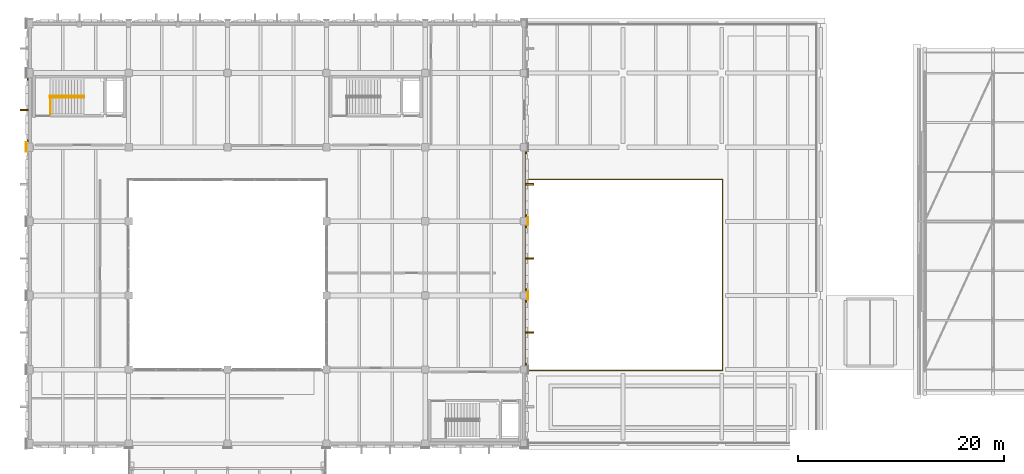
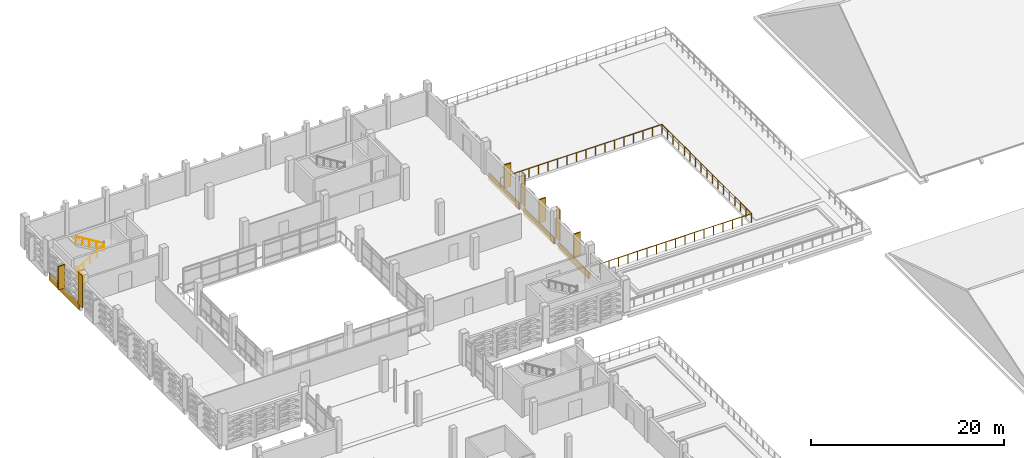
# One storey, part 128 of 134: 11 coverings, 4 railings.
"""IFC4 building model written with IfcOpenShell, lengths in metres."""

from ifc_helpers import new_model, si_unit, direction, frame, origin, origin_2d, place, context, subcontext, project, spatial, rectangle, circle, extrude, material, layer, layer_set, type_object, element, save


model = new_model("IFC4")

# Units and contexts
model_context = context("Model", 3, precision=1e-05, world=origin(), true_north=direction((0.0, 1.0)))
body_context = subcontext(model_context, "Body", "Model", "MODEL_VIEW")
ifc_project = project(units=[si_unit("LENGTHUNIT", "METRE"), si_unit("AREAUNIT", "SQUARE_METRE"), si_unit("VOLUMEUNIT", "CUBIC_METRE"), si_unit("PLANEANGLEUNIT", "RADIAN"), si_unit("MASSUNIT", "GRAM", prefix="KILO")], contexts=[model_context])

# Site, building, storey
site_placement = place(None, origin())
site = spatial("IfcSite", under=ifc_project, at=site_placement, CompositionType="ELEMENT")
building_placement = place(site_placement, origin())
building = spatial("IfcBuilding", under=site, at=building_placement, Name="Asteropetra Specialist Clinic", CompositionType="ELEMENT")
storey_placement = place(building_placement, frame((0.0, 0.0, 8.5)))
storey = spatial("IfcBuildingStorey", under=building, at=storey_placement, Name="L02", CompositionType="ELEMENT", Elevation=8.5)

# Railing
ifc_material_1 = material(Name="Pentelic marble and bronze balustrade", Category="masonry")
railing_type_1 = type_object("IfcRailingType", Name="BAL-STONE-1150", PredefinedType="BALUSTRADE", material=ifc_material_1)
railing_1_placement = place(storey_placement, frame((48.0, 76.719970703125, 0.0)))
element("IfcRailing", 1, at=railing_1_placement, inside=storey, type_object=railing_type_1, Name="Perimeter Guard BAL-V4-L02CT", PredefinedType="BALUSTRADE", context=body_context, shape_type="SweptSolid", body=[
    extrude(circle(Radius=0.02392578125, at=origin_2d()), frame((0.0, 0.0, 1.1259765625), z_axis=(1.0, 0.0, 0.0), x_axis=(0.0, 1.0, 0.0)), (0.0, 0.0, 1.0), 19.280029296875),
    extrude(circle(Radius=0.02392578125, at=origin_2d()), frame((19.280029296875, 0.0, 1.1259765625), z_axis=(0.0, 1.0, 0.0), x_axis=(-1.0, 0.0, 0.0)), (0.0, 0.0, 1.0), 18.56005859375),
    extrude(circle(Radius=0.02392578125, at=origin_2d()), frame((19.280029296875, 18.56005859375, 1.1259765625), z_axis=(-1.0, 0.0, 0.0), x_axis=(0.0, -1.0, 0.0)), (0.0, 0.0, 1.0), 19.280029296875),
    extrude(circle(Radius=0.02099609375, at=origin_2d()), origin(), (0.0, 0.0, 1.0), 1.101806640625),
    extrude(circle(Radius=0.02099609375, at=origin_2d()), frame((1.134033203125, 0.0, 0.0)), (0.0, 0.0, 1.0), 1.101806640625),
    extrude(circle(Radius=0.02099609375, at=origin_2d()), frame((2.268310546875, 0.0, 0.0)), (0.0, 0.0, 1.0), 1.101806640625),
    extrude(circle(Radius=0.02099609375, at=origin_2d()), frame((3.40234375, 0.0, 0.0)), (0.0, 0.0, 1.0), 1.101806640625),
    extrude(circle(Radius=0.02099609375, at=origin_2d()), frame((4.536376953125, 0.0, 0.0)), (0.0, 0.0, 1.0), 1.101806640625),
    extrude(circle(Radius=0.02099609375, at=origin_2d()), frame((5.670654296875, 0.0, 0.0)), (0.0, 0.0, 1.0), 1.101806640625),
    extrude(circle(Radius=0.02099609375, at=origin_2d()), frame((6.8046875, 0.0, 0.0)), (0.0, 0.0, 1.0), 1.101806640625),
    extrude(circle(Radius=0.02099609375, at=origin_2d()), frame((7.938720703125, 0.0, 0.0)), (0.0, 0.0, 1.0), 1.101806640625),
    extrude(circle(Radius=0.02099609375, at=origin_2d()), frame((9.072998046875, 0.0, 0.0)), (0.0, 0.0, 1.0), 1.101806640625),
    extrude(circle(Radius=0.02099609375, at=origin_2d()), frame((10.20703125, 0.0, 0.0)), (0.0, 0.0, 1.0), 1.101806640625),
    extrude(circle(Radius=0.02099609375, at=origin_2d()), frame((11.34130859375, 0.0, 0.0)), (0.0, 0.0, 1.0), 1.101806640625),
    extrude(circle(Radius=0.02099609375, at=origin_2d()), frame((12.475341796875, 0.0, 0.0)), (0.0, 0.0, 1.0), 1.101806640625),
    extrude(circle(Radius=0.02099609375, at=origin_2d()), frame((13.609375, 0.0, 0.0)), (0.0, 0.0, 1.0), 1.101806640625),
    extrude(circle(Radius=0.02099609375, at=origin_2d()), frame((14.74365234375, 0.0, 0.0)), (0.0, 0.0, 1.0), 1.101806640625),
    extrude(circle(Radius=0.02099609375, at=origin_2d()), frame((15.877685546875, 0.0, 0.0)), (0.0, 0.0, 1.0), 1.101806640625),
    extrude(circle(Radius=0.02099609375, at=origin_2d()), frame((17.01171875, 0.0, 0.0)), (0.0, 0.0, 1.0), 1.101806640625),
    extrude(circle(Radius=0.02099609375, at=origin_2d()), frame((18.14599609375, 0.0, 0.0)), (0.0, 0.0, 1.0), 1.101806640625),
    extrude(circle(Radius=0.02099609375, at=origin_2d()), frame((19.280029296875, 0.0, 0.0)), (0.0, 0.0, 1.0), 1.101806640625),
    extrude(circle(Radius=0.02099609375, at=origin_2d()), frame((19.280029296875, 1.159912109375, 0.0)), (0.0, 0.0, 1.0), 1.101806640625),
    extrude(circle(Radius=0.02099609375, at=origin_2d()), frame((19.280029296875, 2.320068359375, 0.0)), (0.0, 0.0, 1.0), 1.101806640625),
    extrude(circle(Radius=0.02099609375, at=origin_2d()), frame((19.280029296875, 3.47998046875, 0.0)), (0.0, 0.0, 1.0), 1.101806640625),
    extrude(circle(Radius=0.02099609375, at=origin_2d()), frame((19.280029296875, 4.64013671875, 0.0)), (0.0, 0.0, 1.0), 1.101806640625),
    extrude(circle(Radius=0.02099609375, at=origin_2d()), frame((19.280029296875, 5.800048828125, 0.0)), (0.0, 0.0, 1.0), 1.101806640625),
    extrude(circle(Radius=0.02099609375, at=origin_2d()), frame((19.280029296875, 6.9599609375, 0.0)), (0.0, 0.0, 1.0), 1.101806640625),
    extrude(circle(Radius=0.02099609375, at=origin_2d()), frame((19.280029296875, 8.1201171875, 0.0)), (0.0, 0.0, 1.0), 1.101806640625),
    extrude(circle(Radius=0.02099609375, at=origin_2d()), frame((19.280029296875, 9.280029296875, 0.0)), (0.0, 0.0, 1.0), 1.101806640625),
    extrude(circle(Radius=0.02099609375, at=origin_2d()), frame((19.280029296875, 10.43994140625, 0.0)), (0.0, 0.0, 1.0), 1.101806640625),
    extrude(circle(Radius=0.02099609375, at=origin_2d()), frame((19.280029296875, 11.60009765625, 0.0)), (0.0, 0.0, 1.0), 1.101806640625),
    extrude(circle(Radius=0.02099609375, at=origin_2d()), frame((19.280029296875, 12.760009765625, 0.0)), (0.0, 0.0, 1.0), 1.101806640625),
    extrude(circle(Radius=0.02099609375, at=origin_2d()), frame((19.280029296875, 13.919921875, 0.0)), (0.0, 0.0, 1.0), 1.101806640625),
    extrude(circle(Radius=0.02099609375, at=origin_2d()), frame((19.280029296875, 15.080078125, 0.0)), (0.0, 0.0, 1.0), 1.101806640625),
    extrude(circle(Radius=0.02099609375, at=origin_2d()), frame((19.280029296875, 16.239990234375, 0.0)), (0.0, 0.0, 1.0), 1.101806640625),
    extrude(circle(Radius=0.02099609375, at=origin_2d()), frame((19.280029296875, 17.400146484375, 0.0)), (0.0, 0.0, 1.0), 1.101806640625),
    extrude(circle(Radius=0.02099609375, at=origin_2d()), frame((19.280029296875, 18.56005859375, 0.0)), (0.0, 0.0, 1.0), 1.101806640625),
    extrude(circle(Radius=0.02099609375, at=origin_2d()), frame((18.14599609375, 18.56005859375, 0.0)), (0.0, 0.0, 1.0), 1.101806640625),
    extrude(circle(Radius=0.02099609375, at=origin_2d()), frame((17.01171875, 18.56005859375, 0.0)), (0.0, 0.0, 1.0), 1.101806640625),
    extrude(circle(Radius=0.02099609375, at=origin_2d()), frame((15.877685546875, 18.56005859375, 0.0)), (0.0, 0.0, 1.0), 1.101806640625),
    extrude(circle(Radius=0.02099609375, at=origin_2d()), frame((14.74365234375, 18.56005859375, 0.0)), (0.0, 0.0, 1.0), 1.101806640625),
    extrude(circle(Radius=0.02099609375, at=origin_2d()), frame((13.609375, 18.56005859375, 0.0)), (0.0, 0.0, 1.0), 1.101806640625),
    extrude(circle(Radius=0.02099609375, at=origin_2d()), frame((12.475341796875, 18.56005859375, 0.0)), (0.0, 0.0, 1.0), 1.101806640625),
    extrude(circle(Radius=0.02099609375, at=origin_2d()), frame((11.34130859375, 18.56005859375, 0.0)), (0.0, 0.0, 1.0), 1.101806640625),
    extrude(circle(Radius=0.02099609375, at=origin_2d()), frame((10.20703125, 18.56005859375, 0.0)), (0.0, 0.0, 1.0), 1.101806640625),
    extrude(circle(Radius=0.02099609375, at=origin_2d()), frame((9.072998046875, 18.56005859375, 0.0)), (0.0, 0.0, 1.0), 1.101806640625),
    extrude(circle(Radius=0.02099609375, at=origin_2d()), frame((7.938720703125, 18.56005859375, 0.0)), (0.0, 0.0, 1.0), 1.101806640625),
    extrude(circle(Radius=0.02099609375, at=origin_2d()), frame((6.8046875, 18.56005859375, 0.0)), (0.0, 0.0, 1.0), 1.101806640625),
    extrude(circle(Radius=0.02099609375, at=origin_2d()), frame((5.670654296875, 18.56005859375, 0.0)), (0.0, 0.0, 1.0), 1.101806640625),
    extrude(circle(Radius=0.02099609375, at=origin_2d()), frame((4.536376953125, 18.56005859375, 0.0)), (0.0, 0.0, 1.0), 1.101806640625),
    extrude(circle(Radius=0.02099609375, at=origin_2d()), frame((3.40234375, 18.56005859375, 0.0)), (0.0, 0.0, 1.0), 1.101806640625),
    extrude(circle(Radius=0.02099609375, at=origin_2d()), frame((2.268310546875, 18.56005859375, 0.0)), (0.0, 0.0, 1.0), 1.101806640625),
    extrude(circle(Radius=0.02099609375, at=origin_2d()), frame((1.134033203125, 18.56005859375, 0.0)), (0.0, 0.0, 1.0), 1.101806640625),
    extrude(circle(Radius=0.02099609375, at=origin_2d()), frame((0.0, 18.56005859375, 0.0)), (0.0, 0.0, 1.0), 1.101806640625),
])

# Coverings
ifc_material_2 = material(Name="Chevron terracotta mid", Category="masonry")
ifc_layer_1 = layer(ifc_material_2, 0.1201171875)
ifc_layer_set_1 = layer_set([ifc_layer_1], Name="Chevron terracotta mid")
covering_type_1 = type_object("IfcCoveringType", Name="CLD-TER-MID", PredefinedType="CLADDING", material=ifc_layer_set_1)
for number, where, z_axis, x_axis, name in (
    (2, (48.18994140625, 80.39990234375, -0.800048828125), (0.0, 0.0, 1.0), (1.0, 0.0, 0.0), "Chevron Spandrel Band CV-1435"),
    (3, (48.18994140625, 87.60009765625, -0.800048828125), (0.0, 0.0, 1.0), (1.0, 0.0, 0.0), "Chevron Spandrel Band CV-1437"),
    (4, (48.18994140625, 94.800048828125, -0.800048828125), (0.0, 0.0, 1.0), (1.0, 0.0, 0.0), "Chevron Spandrel Band CV-1439"),
):
    element("IfcCovering", number, at=place(storey_placement, frame(where, z_axis=z_axis, x_axis=x_axis)), inside=storey, type_object=covering_type_1, Name=name, PredefinedType="CLADDING", context=body_context, shape_type="SweptSolid", body=[
        extrude(rectangle(XDim=0.1201171875, YDim=6.300048828125, at=origin_2d()), origin(), (0.0, 0.0, 1.0), 0.8798828125),
    ])
covering_1_placement = place(storey_placement, frame((-0.18994140625, 102.0, -0.800048828125), z_axis=(0.0, 0.0, 1.0), x_axis=(1.0, 0.0, 0.0)))
element("IfcCovering", 5, at=covering_1_placement, inside=storey, type_object=covering_type_1, Name="Chevron Spandrel Band CV-1440", PredefinedType="CLADDING", context=body_context, shape_type="SweptSolid", body=[
    extrude(rectangle(XDim=0.1201171875, YDim=6.14990234375, at=origin_2d()), origin(), (0.0, 0.0, 1.0), 0.8798828125),
])
ifc_material_3 = material(Name="Pentelic marble ashlar", Category="masonry")
ifc_layer_2 = layer(ifc_material_3, 0.159912109375)
ifc_layer_set_2 = layer_set([ifc_layer_2], Name="Pentelic marble ashlar")
covering_type_2 = type_object("IfcCoveringType", Name="CRN-ENTAB-600", PredefinedType="MOLDING", material=ifc_layer_set_2)
covering_2_placement = place(storey_placement, frame((-0.33203125, 98.39990234375, 0.02001953125), z_axis=(0.0, 0.0, 1.0), x_axis=(1.0, 0.0, 0.0)))
element("IfcCovering", 6, at=covering_2_placement, inside=storey, type_object=covering_type_2, Name="Neoclassical Pilaster Facing CM-0654", PredefinedType="MOLDING", context=body_context, shape_type="SweptSolid", body=[
    extrude(rectangle(XDim=0.080078125, YDim=0.929931640625, at=origin_2d()), origin(), (0.0, 0.0, 1.0), 4.0400390625),
])
for number, where, z_axis, x_axis, name in (
    (7, (48.382080078125, 84.0, 0.02001953125), (0.0, 0.0, 1.0), (1.0, 0.0, 0.0), "Neoclassical Pilaster Facing CM-0669"),
    (8, (48.382080078125, 91.199951171875, 0.02001953125), (0.0, 0.0, 1.0), (1.0, 0.0, 0.0), "Neoclassical Pilaster Facing CM-0670"),
):
    element("IfcCovering", number, at=place(storey_placement, frame(where, z_axis=z_axis, x_axis=x_axis)), inside=storey, type_object=covering_type_2, Name=name, PredefinedType="MOLDING", context=body_context, shape_type="SweptSolid", body=[
        extrude(rectangle(XDim=0.080078125, YDim=0.780029296875, at=origin_2d()), origin(), (0.0, 0.0, 1.0), 4.0400390625),
    ])
ifc_material_4 = material(Name="Pentelic marble solar fin", Category="masonry")
ifc_layer_3 = layer(ifc_material_4, 0.080078125)
ifc_layer_set_3 = layer_set([ifc_layer_3], Name="Pentelic marble solar fin")
covering_type_3 = type_object("IfcCoveringType", Name="FIN-SOLAR-800", PredefinedType="MOLDING", material=ifc_layer_set_3)
for number, where, z_axis, x_axis, name in (
    (9, (48.544921875, 80.39990234375, 0.070068359375), (0.0, 0.0, 1.0), (1.0, 0.0, 0.0), "Solar Shading Fin FN-0071"),
    (10, (48.544921875, 87.60009765625, 0.070068359375), (0.0, 0.0, 1.0), (1.0, 0.0, 0.0), "Solar Shading Fin FN-0073"),
    (11, (48.544921875, 94.800048828125, 0.070068359375), (0.0, 0.0, 1.0), (1.0, 0.0, 0.0), "Solar Shading Fin FN-0075"),
    (12, (-0.544921875, 102.0, 0.070068359375), (0.0, 0.0, 1.0), (1.0, 0.0, 0.0), "Solar Shading Fin FN-0076"),
):
    element("IfcCovering", number, at=place(storey_placement, frame(where, z_axis=z_axis, x_axis=x_axis)), inside=storey, type_object=covering_type_3, Name=name, PredefinedType="MOLDING", context=body_context, shape_type="SweptSolid", body=[
        extrude(rectangle(XDim=0.800048828125, YDim=0.159912109375, at=origin_2d()), origin(), (0.0, 0.0, 1.0), 2.93994140625),
    ])

# Railings
ifc_material_5 = material(Name="Steel S355 and laminated glass guard", Category="steel")
railing_type_2 = type_object("IfcRailingType", Name="GRD-INT-1120", PredefinedType="GUARDRAIL", material=ifc_material_5)
railing_2_placement = place(storey_placement, frame((2.0, 101.580078125, 0.0)))
element("IfcRailing", 13, at=railing_2_placement, inside=storey, type_object=railing_type_2, Name="Stair Well Guard ST01-L01", PredefinedType="GUARDRAIL", context=body_context, shape_type="SweptSolid", body=[
    extrude(circle(Radius=0.02392578125, at=origin_2d()), frame((0.0, 0.0, 1.09619140625), z_axis=(0.0, 1.0, 0.0), x_axis=(-1.0, 0.0, 0.0)), (0.0, 0.0, 1.0), 1.72998046875),
    extrude(circle(Radius=0.02099609375, at=origin_2d()), origin(), (0.0, 0.0, 1.0), 1.072021484375),
    extrude(circle(Radius=0.02099609375, at=origin_2d()), frame((0.0, 0.864990234375, 0.0)), (0.0, 0.0, 1.0), 1.072021484375),
    extrude(circle(Radius=0.02099609375, at=origin_2d()), frame((0.0, 1.72998046875, 0.0)), (0.0, 0.0, 1.0), 1.072021484375),
])
ifc_material_6 = material(Name="Brushed stainless steel handrail", Category="steel")
railing_type_3 = type_object("IfcRailingType", Name="HRL-STAIR-920", PredefinedType="HANDRAIL", material=ifc_material_6)
railing_3_placement = place(storey_placement, frame((1.949951171875, 103.219970703125, 0.0)))
element("IfcRailing", 14, at=railing_3_placement, inside=storey, type_object=railing_type_3, Name="Stair Handrail ST01-L02 F1", PredefinedType="HANDRAIL", context=body_context, shape_type="SweptSolid", body=[
    extrude(circle(Radius=0.02392578125, at=origin_2d()), frame((0.0, 0.0, 0.89599609375), z_axis=(0.850593546085, 0.0, 0.525823753132), x_axis=(0.0, 1.0, 0.0)), (0.0, 0.0, 1.0), 3.879638671875),
    extrude(circle(Radius=0.02099609375, at=origin_2d()), origin(), (0.0, 0.0, 1.0), 0.871826171875),
    extrude(circle(Radius=0.02099609375, at=origin_2d()), frame((0.824951171875, 0.0, 0.510009765625)), (0.0, 0.0, 1.0), 0.871826171875),
    extrude(circle(Radius=0.02099609375, at=origin_2d()), frame((1.64990234375, 0.0, 1.02001953125)), (0.0, 0.0, 1.0), 0.871826171875),
    extrude(circle(Radius=0.02099609375, at=origin_2d()), frame((2.47509765625, 0.0, 1.530029296875)), (0.0, 0.0, 1.0), 0.871826171875),
    extrude(circle(Radius=0.02099609375, at=origin_2d()), frame((3.300048828125, 0.0, 2.0400390625)), (0.0, 0.0, 1.0), 0.871826171875),
])
railing_4_placement = place(storey_placement, frame((5.25, 103.360107421875, 2.0400390625)))
element("IfcRailing", 15, at=railing_4_placement, inside=storey, type_object=railing_type_3, Name="Stair Handrail ST01-L02 F2", PredefinedType="HANDRAIL", context=body_context, shape_type="SweptSolid", body=[
    extrude(circle(Radius=0.02392578125, at=origin_2d()), frame((0.0, 0.0, 0.89599609375), z_axis=(-0.850593546085, 0.0, 0.525823753132), x_axis=(0.0, -1.0, 0.0)), (0.0, 0.0, 1.0), 3.879638671875),
    extrude(circle(Radius=0.02099609375, at=origin_2d()), origin(), (0.0, 0.0, 1.0), 0.871826171875),
    extrude(circle(Radius=0.02099609375, at=origin_2d()), frame((-0.824951171875, 0.0, 0.510009765625)), (0.0, 0.0, 1.0), 0.871826171875),
    extrude(circle(Radius=0.02099609375, at=origin_2d()), frame((-1.64990234375, 0.0, 1.02001953125)), (0.0, 0.0, 1.0), 0.871826171875),
    extrude(circle(Radius=0.02099609375, at=origin_2d()), frame((-2.47509765625, 0.0, 1.530029296875)), (0.0, 0.0, 1.0), 0.871826171875),
    extrude(circle(Radius=0.02099609375, at=origin_2d()), frame((-3.300048828125, 0.0, 2.0400390625)), (0.0, 0.0, 1.0), 0.871826171875),
])

save(model, "model.ifc")
